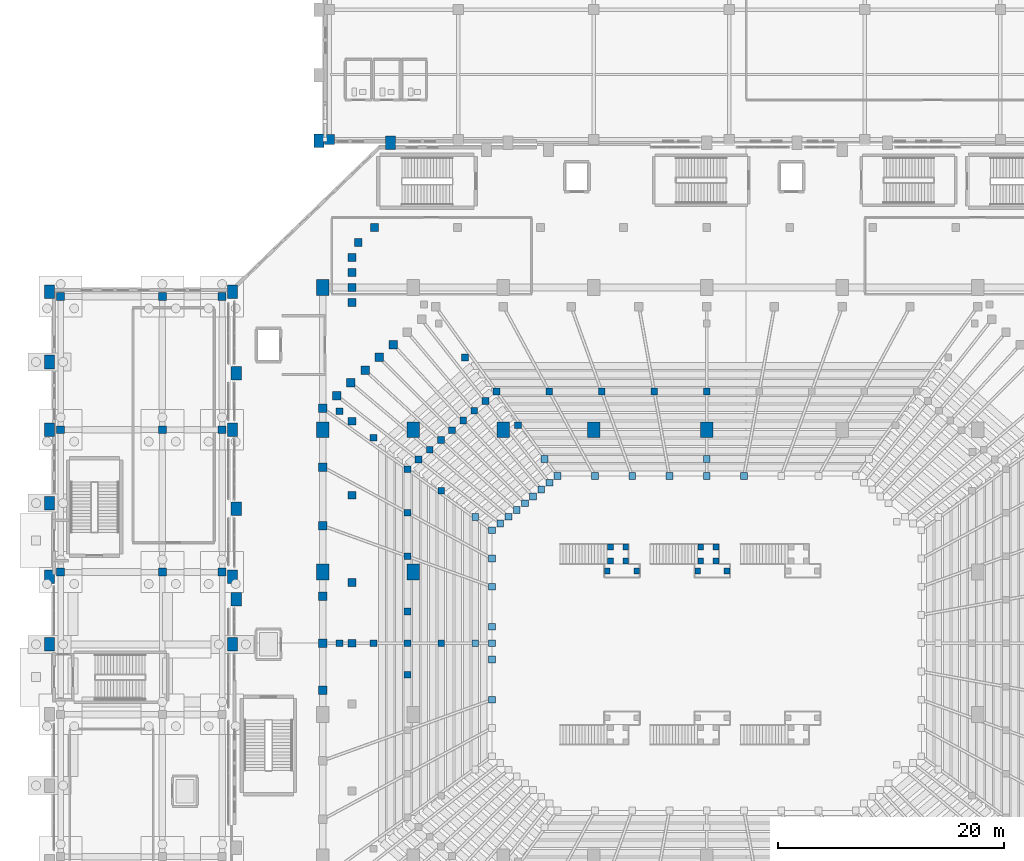
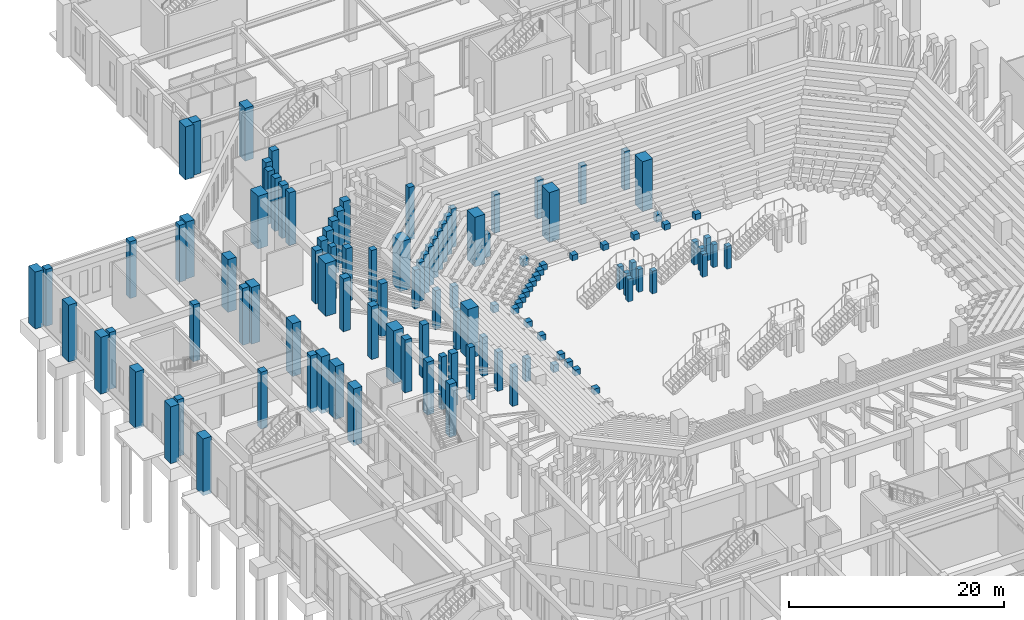
# One storey, part 10 of 143: 116 columns.
"""IFC4 building model written with IfcOpenShell, lengths in metres."""

from ifc_helpers import new_model, si_unit, derived_unit, direction, frame, origin, origin_2d, place, context, subcontext, project, spatial, rectangle, extrude, material, material_profile, profile_set, type_object, element, save


model = new_model("IFC4")

# Units and contexts
model_context = context("Model", 3, precision=1e-05, world=origin(), true_north=direction((0.0, 1.0)))
body_context = subcontext(model_context, "Body", "Model", "MODEL_VIEW")
ifc_project = project(units=[si_unit("LENGTHUNIT", "METRE"), si_unit("AREAUNIT", "SQUARE_METRE"), si_unit("VOLUMEUNIT", "CUBIC_METRE"), si_unit("PLANEANGLEUNIT", "RADIAN"), si_unit("MASSUNIT", "GRAM", prefix="KILO"), derived_unit("THERMALTRANSMITTANCEUNIT", [(si_unit("MASSUNIT", "GRAM", prefix="KILO"), 1), (si_unit("TIMEUNIT", "SECOND"), -3), (si_unit("THERMODYNAMICTEMPERATUREUNIT", "KELVIN"), -1)])], contexts=[model_context])

# Site, building, storey
site_placement = place(None, origin())
site = spatial("IfcSite", under=ifc_project, at=site_placement, CompositionType="ELEMENT")
building_placement = place(site_placement, origin())
building = spatial("IfcBuilding", under=site, at=building_placement, Name="Valcora Ridge Arena", CompositionType="ELEMENT")
storey_placement = place(building_placement, origin())
storey = spatial("IfcBuildingStorey", under=building, at=storey_placement, Name="L00", CompositionType="ELEMENT", Elevation=0.0)

# Columns
ifc_material_1 = material(Name="Bush-hammered Andean travertine architectural concrete C45/55", Category="masonry")
ifc_material_profile_1 = material_profile(ifc_material_1, rectangle(XDim=0.89990234375, YDim=1.199951171875, at=origin_2d()), Name="RC 900x1200")
ifc_profile_set_1 = profile_set([ifc_material_profile_1], Name="Bush-hammered Andean travertine architectural concrete C45/55")
column_type_1 = type_object("IfcColumnType", Name="TY-COLUMN-C-BUTT-1200", PredefinedType="PILASTER", material=ifc_profile_set_1)
for number, where, z_axis, x_axis, name in (
    (1, (16.35009765625, 68.0, 0.0), (0.0, 0.0, 1.0), (1.0, 0.0, 0.0), "C-BUTT-1200 COL-C-BUTT-1200-0042"),
    (2, (16.35009765625, 76.0, 0.0), (0.0, 0.0, 1.0), (1.0, 0.0, 0.0), "C-BUTT-1200 COL-C-BUTT-1200-0046"),
    (3, (16.35009765625, 88.0, 0.0), (0.0, 0.0, 1.0), (1.0, 0.0, 0.0), "C-BUTT-1200 COL-C-BUTT-1200-0050"),
):
    element("IfcColumn", number, at=place(storey_placement, frame(where, z_axis=z_axis, x_axis=x_axis)), inside=storey, type_object=column_type_1, Name=name, PredefinedType="PILASTER", context=body_context, shape_type="SweptSolid", body=[
        extrude(rectangle(XDim=0.89990234375, YDim=1.199951171875, at=origin_2d()), origin(), (0.0, 0.0, 1.0), 6.0),
    ])
for number, where, z_axis, x_axis, name in (
    (4, (-0.179931640625, 70.0, -0.449951171875), (0.0, 0.0, 1.0), (1.0, 0.0, 0.0), "C-BUTT-1200 COL-C-BUTT-1200-0095"),
    (5, (-0.179931640625, 83.0, -0.449951171875), (0.0, 0.0, 1.0), (1.0, 0.0, 0.0), "C-BUTT-1200 COL-C-BUTT-1200-0098"),
    (6, (-0.179931640625, 95.199951171875, -0.449951171875), (0.0, 0.0, 1.0), (1.0, 0.0, 0.0), "C-BUTT-1200 COL-C-BUTT-1200-0101"),
    (7, (16.0, 64.0, -0.449951171875), (0.0, 0.0, 1.0), (1.0, 0.0, 0.0), "C-BUTT-1200 COL-C-BUTT-1200-0119"),
    (8, (16.0, 70.0, -0.449951171875), (0.0, 0.0, 1.0), (1.0, 0.0, 0.0), "C-BUTT-1200 COL-C-BUTT-1200-0122"),
    (9, (16.0, 83.0, -0.449951171875), (0.0, 0.0, 1.0), (1.0, 0.0, 0.0), "C-BUTT-1200 COL-C-BUTT-1200-0125"),
    (10, (16.0, 95.199951171875, -0.449951171875), (0.0, 0.0, 1.0), (1.0, 0.0, 0.0), "C-BUTT-1200 COL-C-BUTT-1200-0128"),
):
    element("IfcColumn", number, at=place(storey_placement, frame(where, z_axis=z_axis, x_axis=x_axis)), inside=storey, type_object=column_type_1, Name=name, PredefinedType="PILASTER", context=body_context, shape_type="SweptSolid", body=[
        extrude(rectangle(XDim=0.89990234375, YDim=1.199951171875, at=origin_2d()), origin(), (0.0, 0.0, 1.0), 6.449951171875),
    ])
for number, where, z_axis, x_axis, name in (
    (11, (23.679931640625, 108.60009765625, 0.0), (0.0, 0.0, 1.0), (1.0, 0.0, 0.0), "C-BUTT-1200 COL-C-BUTT-1200-0228"),
    (12, (30.0, 108.419921875, 0.0), (0.0, 0.0, 1.0), (1.0, 0.0, 0.0), "C-BUTT-1200 COL-C-BUTT-1200-0328"),
):
    element("IfcColumn", number, at=place(storey_placement, frame(where, z_axis=z_axis, x_axis=x_axis)), inside=storey, type_object=column_type_1, Name=name, PredefinedType="PILASTER", context=body_context, shape_type="SweptSolid", body=[
        extrude(rectangle(XDim=0.89990234375, YDim=1.199951171875, at=origin_2d()), origin(), (0.0, 0.0, 1.0), 6.0),
    ])
for number, where, z_axis, x_axis, name in (
    (13, (-0.179931640625, 64.0, -0.449951171875), (0.0, 0.0, 1.0), (1.0, 0.0, 0.0), "C-BUTT-1200 COL-C-BUTT-1200-0422"),
    (14, (-0.179931640625, 76.5, -0.449951171875), (0.0, 0.0, 1.0), (1.0, 0.0, 0.0), "C-BUTT-1200 COL-C-BUTT-1200-0425"),
    (15, (-0.179931640625, 89.0, -0.449951171875), (0.0, 0.0, 1.0), (1.0, 0.0, 0.0), "C-BUTT-1200 COL-C-BUTT-1200-0428"),
):
    element("IfcColumn", number, at=place(storey_placement, frame(where, z_axis=z_axis, x_axis=x_axis)), inside=storey, type_object=column_type_1, Name=name, PredefinedType="PILASTER", context=body_context, shape_type="SweptSolid", body=[
        extrude(rectangle(XDim=0.89990234375, YDim=1.199951171875, at=origin_2d()), origin(), (0.0, 0.0, 1.0), 6.449951171875),
    ])
ifc_material_2 = material(Name="Concrete C40/50", Category="concrete")
ifc_material_profile_2 = material_profile(ifc_material_2, rectangle(XDim=1.10009765625, YDim=1.39990234375, at=origin_2d()), Name="RC 1100x1400")
ifc_profile_set_2 = profile_set([ifc_material_profile_2], Name="Concrete C40/50")
column_type_2 = type_object("IfcColumnType", Name="TY-COLUMN-C-RC1100", PredefinedType="COLUMN", material=ifc_profile_set_2)
for number, where, z_axis, x_axis, name in (
    (16, (24.0, 70.39990234375, 0.0), (0.0, 0.0, 1.0), (1.0, 0.0, 0.0), "C-RC1100 COL-C-RC1100-0008"),
    (17, (24.0, 83.0, 0.0), (0.0, 0.0, 1.0), (1.0, 0.0, 0.0), "C-RC1100 COL-C-RC1100-0010"),
    (18, (24.0, 95.60009765625, 0.0), (0.0, 0.0, 1.0), (1.0, 0.0, 0.0), "C-RC1100 COL-C-RC1100-0012"),
):
    element("IfcColumn", number, at=place(storey_placement, frame(where, z_axis=z_axis, x_axis=x_axis)), inside=storey, type_object=column_type_2, Name=name, PredefinedType="COLUMN", context=body_context, shape_type="SweptSolid", body=[
        extrude(rectangle(XDim=1.10009765625, YDim=1.39990234375, at=origin_2d()), origin(), (0.0, 0.0, 1.0), 6.0),
    ])
for number, where, z_axis, x_axis, name in (
    (19, (32.0, 70.39990234375, 0.0), (0.0, 0.0, 1.0), (1.0, 0.0, 0.0), "C-RC1100 COL-C-RC1100-0020"),
    (20, (32.0, 83.0, 0.0), (0.0, 0.0, 1.0), (1.0, 0.0, 0.0), "C-RC1100 COL-C-RC1100-0022"),
    (21, (40.0, 83.0, 0.0), (0.0, 0.0, 1.0), (1.0, 0.0, 0.0), "C-RC1100 COL-C-RC1100-0030"),
    (22, (48.0, 83.0, 0.0), (0.0, 0.0, 1.0), (1.0, 0.0, 0.0), "C-RC1100 COL-C-RC1100-0038"),
    (23, (58.0, 83.0, 0.0), (0.0, 0.0, 1.0), (1.0, 0.0, 0.0), "C-RC1100 COL-C-RC1100-0046"),
):
    element("IfcColumn", number, at=place(storey_placement, frame(where, z_axis=z_axis, x_axis=x_axis)), inside=storey, type_object=column_type_2, Name=name, PredefinedType="COLUMN", context=body_context, shape_type="SweptSolid", body=[
        extrude(rectangle(XDim=1.10009765625, YDim=1.39990234375, at=origin_2d()), origin(), (0.0, 0.0, 1.0), 5.639892578125),
    ])
ifc_material_profile_3 = material_profile(ifc_material_2, rectangle(XDim=0.699951171875, YDim=0.699951171875, at=origin_2d()), Name="RC 700x700")
ifc_profile_set_3 = profile_set([ifc_material_profile_3], Name="Concrete C40/50")
column_type_3 = type_object("IfcColumnType", Name="TY-COLUMN-C-RC700", PredefinedType="COLUMN", material=ifc_profile_set_3)
for number, where, z_axis, x_axis, name in (
    (24, (0.800048828125, 70.39990234375, -0.449951171875), (0.0, 0.0, 1.0), (1.0, 0.0, 0.0), "C-RC700 COL-C-RC700-0085"),
    (25, (0.800048828125, 83.0, -0.449951171875), (0.0, 0.0, 1.0), (1.0, 0.0, 0.0), "C-RC700 COL-C-RC700-0087"),
    (26, (0.800048828125, 94.800048828125, -0.449951171875), (0.0, 0.0, 1.0), (1.0, 0.0, 0.0), "C-RC700 COL-C-RC700-0089"),
    (27, (9.800048828125, 70.39990234375, -0.449951171875), (0.0, 0.0, 1.0), (1.0, 0.0, 0.0), "C-RC700 COL-C-RC700-0099"),
    (28, (9.800048828125, 83.0, -0.449951171875), (0.0, 0.0, 1.0), (1.0, 0.0, 0.0), "C-RC700 COL-C-RC700-0101"),
    (29, (9.800048828125, 94.800048828125, -0.449951171875), (0.0, 0.0, 1.0), (1.0, 0.0, 0.0), "C-RC700 COL-C-RC700-0103"),
    (30, (15.10009765625, 70.39990234375, -0.449951171875), (0.0, 0.0, 1.0), (1.0, 0.0, 0.0), "C-RC700 COL-C-RC700-0113"),
    (31, (15.10009765625, 83.0, -0.449951171875), (0.0, 0.0, 1.0), (1.0, 0.0, 0.0), "C-RC700 COL-C-RC700-0115"),
    (32, (15.10009765625, 94.800048828125, -0.449951171875), (0.0, 0.0, 1.0), (1.0, 0.0, 0.0), "C-RC700 COL-C-RC700-0117"),
):
    element("IfcColumn", number, at=place(storey_placement, frame(where, z_axis=z_axis, x_axis=x_axis)), inside=storey, type_object=column_type_3, Name=name, PredefinedType="COLUMN", context=body_context, shape_type="SweptSolid", body=[
        extrude(rectangle(XDim=0.699951171875, YDim=0.699951171875, at=origin_2d()), origin(), (0.0, 0.0, 1.0), 6.449951171875),
    ])
ifc_material_profile_4 = material_profile(ifc_material_2, rectangle(XDim=0.89990234375, YDim=0.89990234375, at=origin_2d()), Name="RC 900x900")
ifc_profile_set_4 = profile_set([ifc_material_profile_4], Name="Concrete C40/50")
column_type_4 = type_object("IfcColumnType", Name="TY-COLUMN-C-RC900B", PredefinedType="COLUMN", material=ifc_profile_set_4)
column_placement = place(storey_placement, frame((24.60009765625, 108.699951171875, 0.0), z_axis=(0.0, 0.0, 1.0), x_axis=(1.0, 0.0, 0.0)))
element("IfcColumn", 33, at=column_placement, inside=storey, type_object=column_type_4, Name="C-RC900B COL-C-RC900B-0002", PredefinedType="COLUMN", context=body_context, shape_type="SweptSolid", body=[
    extrude(rectangle(XDim=0.89990234375, YDim=0.89990234375, at=origin_2d()), origin(), (0.0, 0.0, 1.0), 6.0),
])
ifc_material_profile_5 = material_profile(ifc_material_2, rectangle(XDim=0.5, YDim=0.5, at=origin_2d()), Name="RC 500x500")
ifc_profile_set_5 = profile_set([ifc_material_profile_5], Name="Concrete C40/50")
column_type_5 = type_object("IfcColumnType", Name="TY-COLUMN-C-RKR500", PredefinedType="COLUMN", material=ifc_profile_set_5)
for number, where, z_axis, x_axis, name in (
    (34, (49.47998046875, 71.3798828125, 0.0), (0.0, 0.0, 1.0), (1.0, 0.0, 0.0), "C-RKR500 COL-VS-C-RKR500-0038"),
    (35, (49.47998046875, 72.6201171875, 0.0), (0.0, 0.0, 1.0), (1.0, 0.0, 0.0), "C-RKR500 COL-VS-C-RKR500-0040"),
    (36, (50.820068359375, 71.3798828125, 0.0), (0.0, 0.0, 1.0), (1.0, 0.0, 0.0), "C-RKR500 COL-VS-C-RKR500-0042"),
    (37, (50.820068359375, 72.6201171875, 0.0), (0.0, 0.0, 1.0), (1.0, 0.0, 0.0), "C-RKR500 COL-VS-C-RKR500-0044"),
    (38, (49.199951171875, 70.5, 0.0), (0.0, 0.0, 1.0), (1.0, 0.0, 0.0), "C-RKR500 COL-VS-C-RKR500-0046"),
    (39, (51.800048828125, 70.5, 0.0), (0.0, 0.0, 1.0), (1.0, 0.0, 0.0), "C-RKR500 COL-VS-C-RKR500-0048"),
    (40, (57.47998046875, 71.3798828125, 0.0), (0.0, 0.0, 1.0), (1.0, 0.0, 0.0), "C-RKR500 COL-VS-C-RKR500-0050"),
    (41, (57.47998046875, 72.6201171875, 0.0), (0.0, 0.0, 1.0), (1.0, 0.0, 0.0), "C-RKR500 COL-VS-C-RKR500-0052"),
    (42, (58.820068359375, 71.3798828125, 0.0), (0.0, 0.0, 1.0), (1.0, 0.0, 0.0), "C-RKR500 COL-VS-C-RKR500-0054"),
    (43, (58.820068359375, 72.6201171875, 0.0), (0.0, 0.0, 1.0), (1.0, 0.0, 0.0), "C-RKR500 COL-VS-C-RKR500-0056"),
    (44, (57.199951171875, 70.5, 0.0), (0.0, 0.0, 1.0), (1.0, 0.0, 0.0), "C-RKR500 COL-VS-C-RKR500-0058"),
    (45, (59.800048828125, 70.5, 0.0), (0.0, 0.0, 1.0), (1.0, 0.0, 0.0), "C-RKR500 COL-VS-C-RKR500-0060"),
):
    element("IfcColumn", number, at=place(storey_placement, frame(where, z_axis=z_axis, x_axis=x_axis)), inside=storey, type_object=column_type_5, Name=name, PredefinedType="COLUMN", context=body_context, shape_type="SweptSolid", body=[
        extrude(rectangle(XDim=0.5, YDim=0.5, at=origin_2d()), origin(), (0.0, 0.0, 1.0), 2.60009765625),
    ])
ifc_material_profile_6 = material_profile(ifc_material_2, rectangle(XDim=0.60009765625, YDim=0.60009765625, at=origin_2d()), Name="RC 600x600")
ifc_profile_set_6 = profile_set([ifc_material_profile_6], Name="Concrete C40/50")
column_type_6 = type_object("IfcColumnType", Name="TY-COLUMN-C-RKR600", PredefinedType="COLUMN", material=ifc_profile_set_6)
for number, where, z_axis, x_axis, name in (
    (46, (58.0, 86.39990234375, 0.0), (0.0, 0.0, 1.0), (1.0, 0.0, 0.0), "C-RKR600 COL-RK-C-RKR600-0070"),
    (47, (53.35009765625, 86.39990234375, 0.0), (0.0, 0.0, 1.0), (1.0, 0.0, 0.0), "C-RKR600 COL-RK-C-RKR600-0072"),
    (48, (48.699951171875, 86.39990234375, 0.0), (0.0, 0.0, 1.0), (1.0, 0.0, 0.0), "C-RKR600 COL-RK-C-RKR600-0074"),
    (49, (44.050048828125, 86.39990234375, 0.0), (0.0, 0.0, 1.0), (1.0, 0.0, 0.0), "C-RKR600 COL-RK-C-RKR600-0076"),
    (50, (39.39990234375, 86.39990234375, 0.0), (0.0, 0.0, 1.0), (1.0, 0.0, 0.0), "C-RKR600 COL-RK-C-RKR600-0078"),
    (51, (38.41259765625, 85.53759765625, 0.0), (0.0, 0.0, 1.0), (1.0, 0.0, 0.0), "C-RKR600 COL-RK-C-RKR600-0080"),
    (52, (37.425048828125, 84.675048828125, 0.0), (0.0, 0.0, 1.0), (1.0, 0.0, 0.0), "C-RKR600 COL-RK-C-RKR600-0082"),
    (53, (36.4375, 83.8125, 0.0), (0.0, 0.0, 1.0), (1.0, 0.0, 0.0), "C-RKR600 COL-RK-C-RKR600-0084"),
    (54, (35.449951171875, 82.949951171875, 0.0), (0.0, 0.0, 1.0), (1.0, 0.0, 0.0), "C-RKR600 COL-RK-C-RKR600-0086"),
    (55, (34.46240234375, 82.08740234375, 0.0), (0.0, 0.0, 1.0), (1.0, 0.0, 0.0), "C-RKR600 COL-RK-C-RKR600-0088"),
    (56, (33.47509765625, 81.22509765625, 0.0), (0.0, 0.0, 1.0), (1.0, 0.0, 0.0), "C-RKR600 COL-RK-C-RKR600-0090"),
    (57, (32.487548828125, 80.362548828125, 0.0), (0.0, 0.0, 1.0), (1.0, 0.0, 0.0), "C-RKR600 COL-RK-C-RKR600-0092"),
    (58, (31.5, 79.5, 0.0), (0.0, 0.0, 1.0), (1.0, 0.0, 0.0), "C-RKR600 COL-RK-C-RKR600-0094"),
    (59, (31.5, 75.64990234375, 0.0), (0.0, 0.0, 1.0), (1.0, 0.0, 0.0), "C-RKR600 COL-RK-C-RKR600-0096"),
    (60, (31.5, 71.800048828125, 0.0), (0.0, 0.0, 1.0), (1.0, 0.0, 0.0), "C-RKR600 COL-RK-C-RKR600-0098"),
    (61, (31.5, 64.10009765625, 0.0), (0.0, 0.0, 1.0), (1.0, 0.0, 0.0), "C-RKR600 COL-RK-C-RKR600-0100"),
    (62, (31.5, 66.89990234375, 0.0), (0.0, 0.0, 1.0), (1.0, 0.0, 0.0), "C-RKR600 COL-RKN-C-RKR600-0006"),
    (63, (31.5, 61.300048828125, 0.0), (0.0, 0.0, 1.0), (1.0, 0.0, 0.0), "C-RKR600 COL-RKN-C-RKR600-0008"),
):
    element("IfcColumn", number, at=place(storey_placement, frame(where, z_axis=z_axis, x_axis=x_axis)), inside=storey, type_object=column_type_6, Name=name, PredefinedType="COLUMN", context=body_context, shape_type="SweptSolid", body=[
        extrude(rectangle(XDim=0.60009765625, YDim=0.60009765625, at=origin_2d()), origin(), (0.0, 0.0, 1.0), 4.39990234375),
    ])
ifc_material_profile_7 = material_profile(ifc_material_2, rectangle(XDim=0.60009765625, YDim=0.60009765625, at=origin_2d()), Name="RC 600x600")
ifc_profile_set_7 = profile_set([ifc_material_profile_7], Name="Concrete C40/50")
column_type_7 = type_object("IfcColumnType", Name="TY-COLUMN-C-RKR600I", PredefinedType="COLUMN", material=ifc_profile_set_7)
for number, where, z_axis, x_axis, name in (
    (64, (61.300048828125, 78.89990234375, 0.0), (0.0, 0.0, 1.0), (1.0, 0.0, 0.0), "C-RKR600I COL-RK-C-RKR600I-0068"),
    (65, (58.0, 78.89990234375, 0.0), (0.0, 0.0, 1.0), (1.0, 0.0, 0.0), "C-RKR600I COL-RK-C-RKR600I-0070"),
    (66, (54.699951171875, 78.89990234375, 0.0), (0.0, 0.0, 1.0), (1.0, 0.0, 0.0), "C-RKR600I COL-RK-C-RKR600I-0072"),
    (67, (51.39990234375, 78.89990234375, 0.0), (0.0, 0.0, 1.0), (1.0, 0.0, 0.0), "C-RKR600I COL-RK-C-RKR600I-0074"),
    (68, (48.10009765625, 78.89990234375, 0.0), (0.0, 0.0, 1.0), (1.0, 0.0, 0.0), "C-RKR600I COL-RK-C-RKR600I-0076"),
    (69, (44.800048828125, 78.89990234375, 0.0), (0.0, 0.0, 1.0), (1.0, 0.0, 0.0), "C-RKR600I COL-RK-C-RKR600I-0078"),
    (70, (44.074951171875, 78.300048828125, 0.0), (0.0, 0.0, 1.0), (1.0, 0.0, 0.0), "C-RKR600I COL-RK-C-RKR600I-0080"),
    (71, (43.35009765625, 77.699951171875, 0.0), (0.0, 0.0, 1.0), (1.0, 0.0, 0.0), "C-RKR600I COL-RK-C-RKR600I-0082"),
    (72, (42.625, 77.10009765625, 0.0), (0.0, 0.0, 1.0), (1.0, 0.0, 0.0), "C-RKR600I COL-RK-C-RKR600I-0084"),
    (73, (41.89990234375, 76.5, 0.0), (0.0, 0.0, 1.0), (1.0, 0.0, 0.0), "C-RKR600I COL-RK-C-RKR600I-0086"),
    (74, (41.175048828125, 75.89990234375, 0.0), (0.0, 0.0, 1.0), (1.0, 0.0, 0.0), "C-RKR600I COL-RK-C-RKR600I-0088"),
    (75, (40.449951171875, 75.300048828125, 0.0), (0.0, 0.0, 1.0), (1.0, 0.0, 0.0), "C-RKR600I COL-RK-C-RKR600I-0090"),
    (76, (39.72509765625, 74.699951171875, 0.0), (0.0, 0.0, 1.0), (1.0, 0.0, 0.0), "C-RKR600I COL-RK-C-RKR600I-0092"),
    (77, (39.0, 74.10009765625, 0.0), (0.0, 0.0, 1.0), (1.0, 0.0, 0.0), "C-RKR600I COL-RK-C-RKR600I-0094"),
    (78, (39.0, 71.60009765625, 0.0), (0.0, 0.0, 1.0), (1.0, 0.0, 0.0), "C-RKR600I COL-RK-C-RKR600I-0096"),
    (79, (39.0, 69.10009765625, 0.0), (0.0, 0.0, 1.0), (1.0, 0.0, 0.0), "C-RKR600I COL-RK-C-RKR600I-0098"),
    (80, (39.0, 64.10009765625, 0.0), (0.0, 0.0, 1.0), (1.0, 0.0, 0.0), "C-RKR600I COL-RK-C-RKR600I-0100"),
    (81, (39.0, 59.10009765625, 0.0), (0.0, 0.0, 1.0), (1.0, 0.0, 0.0), "C-RKR600I COL-RK-C-RKR600I-0102"),
    (82, (39.0, 65.550048828125, 0.0), (0.0, 0.0, 1.0), (1.0, 0.0, 0.0), "C-RKR600I COL-RKN-C-RKR600I-0006"),
    (83, (39.0, 62.64990234375, 0.0), (0.0, 0.0, 1.0), (1.0, 0.0, 0.0), "C-RKR600I COL-RKN-C-RKR600I-0008"),
):
    element("IfcColumn", number, at=place(storey_placement, frame(where, z_axis=z_axis, x_axis=x_axis)), inside=storey, type_object=column_type_7, Name=name, PredefinedType="COLUMN", context=body_context, shape_type="SweptSolid", body=[
        extrude(rectangle(XDim=0.60009765625, YDim=0.60009765625, at=origin_2d()), origin(), (0.0, 0.0, 1.0), 0.64990234375),
    ])
for number, where, z_axis, x_axis, name in (
    (84, (58.0, 80.39990234375, 0.0), (0.0, 0.0, 1.0), (1.0, 0.0, 0.0), "C-RKR600I COL-R2-C-RKR600I-0008"),
    (85, (43.6298828125, 80.39990234375, 0.0), (0.0, 0.0, 1.0), (1.0, 0.0, 0.0), "C-RKR600I COL-R2-C-RKR600I-0009"),
    (86, (37.5, 75.27001953125, 0.0), (0.0, 0.0, 1.0), (1.0, 0.0, 0.0), "C-RKR600I COL-R2-C-RKR600I-0010"),
    (87, (37.5, 64.10009765625, 0.0), (0.0, 0.0, 1.0), (1.0, 0.0, 0.0), "C-RKR600I COL-R2-C-RKR600I-0011"),
):
    element("IfcColumn", number, at=place(storey_placement, frame(where, z_axis=z_axis, x_axis=x_axis)), inside=storey, type_object=column_type_7, Name=name, PredefinedType="COLUMN", context=body_context, shape_type="SweptSolid", body=[
        extrude(rectangle(XDim=0.60009765625, YDim=0.60009765625, at=origin_2d()), origin(), (0.0, 0.0, 1.0), 0.85498046875),
    ])
for number, where, z_axis, x_axis, name in (
    (88, (41.2900390625, 83.39990234375, 0.0), (0.0, 0.0, 1.0), (1.0, 0.0, 0.0), "C-RKR600I COL-R2-C-RKR600I-0019"),
    (89, (34.5, 77.610107421875, 0.0), (0.0, 0.0, 1.0), (1.0, 0.0, 0.0), "C-RKR600I COL-R2-C-RKR600I-0020"),
    (90, (34.5, 64.10009765625, 0.0), (0.0, 0.0, 1.0), (1.0, 0.0, 0.0), "C-RKR600I COL-R2-C-RKR600I-0021"),
):
    element("IfcColumn", number, at=place(storey_placement, frame(where, z_axis=z_axis, x_axis=x_axis)), inside=storey, type_object=column_type_7, Name=name, PredefinedType="COLUMN", context=body_context, shape_type="SweptSolid", body=[
        extrude(rectangle(XDim=0.60009765625, YDim=0.60009765625, at=origin_2d()), origin(), (0.0, 0.0, 1.0), 2.614990234375),
    ])
for number, where, z_axis, x_axis, name in (
    (91, (36.610107421875, 89.39990234375, 0.0), (0.0, 0.0, 1.0), (1.0, 0.0, 0.0), "C-RKR600I COL-R2-C-RKR600I-0029"),
    (92, (28.5, 82.2900390625, 0.0), (0.0, 0.0, 1.0), (1.0, 0.0, 0.0), "C-RKR600I COL-R2-C-RKR600I-0030"),
    (93, (28.5, 64.10009765625, 0.0), (0.0, 0.0, 1.0), (1.0, 0.0, 0.0), "C-RKR600I COL-R2-C-RKR600I-0031"),
    (94, (25.5, 84.6298828125, 0.0), (0.0, 0.0, 1.0), (1.0, 0.0, 0.0), "C-RKR600I COL-R2-C-RKR600I-0051"),
    (95, (25.5, 64.10009765625, 0.0), (0.0, 0.0, 1.0), (1.0, 0.0, 0.0), "C-RKR600I COL-R2-C-RKR600I-0053"),
):
    element("IfcColumn", number, at=place(storey_placement, frame(where, z_axis=z_axis, x_axis=x_axis)), inside=storey, type_object=column_type_7, Name=name, PredefinedType="COLUMN", context=body_context, shape_type="SweptSolid", body=[
        extrude(rectangle(XDim=0.60009765625, YDim=0.60009765625, at=origin_2d()), origin(), (0.0, 0.0, 1.0), 6.0),
    ])
ifc_material_profile_8 = material_profile(ifc_material_2, rectangle(XDim=0.75, YDim=0.75, at=origin_2d()), Name="RC 750x750")
ifc_profile_set_8 = profile_set([ifc_material_profile_8], Name="Concrete C40/50")
column_type_8 = type_object("IfcColumnType", Name="TY-COLUMN-C-RKR750", PredefinedType="COLUMN", material=ifc_profile_set_8)
for number, where, z_axis, x_axis, name in (
    (96, (30.25, 90.52490234375, 0.0), (0.0, 0.0, 1.0), (1.0, 0.0, 0.0), "C-RKR750 COL-RK-C-RKR750-0084"),
    (97, (29.0, 89.39990234375, 0.0), (0.0, 0.0, 1.0), (1.0, 0.0, 0.0), "C-RKR750 COL-RK-C-RKR750-0086"),
    (98, (27.75, 88.27490234375, 0.0), (0.0, 0.0, 1.0), (1.0, 0.0, 0.0), "C-RKR750 COL-RK-C-RKR750-0088"),
    (99, (26.5, 87.14990234375, 0.0), (0.0, 0.0, 1.0), (1.0, 0.0, 0.0), "C-RKR750 COL-RK-C-RKR750-0090"),
    (100, (25.25, 86.02490234375, 0.0), (0.0, 0.0, 1.0), (1.0, 0.0, 0.0), "C-RKR750 COL-RK-C-RKR750-0092"),
    (101, (24.0, 84.89990234375, 0.0), (0.0, 0.0, 1.0), (1.0, 0.0, 0.0), "C-RKR750 COL-RK-C-RKR750-0094"),
    (102, (24.0, 79.699951171875, 0.0), (0.0, 0.0, 1.0), (1.0, 0.0, 0.0), "C-RKR750 COL-RK-C-RKR750-0096"),
    (103, (24.0, 74.5, 0.0), (0.0, 0.0, 1.0), (1.0, 0.0, 0.0), "C-RKR750 COL-RK-C-RKR750-0098"),
    (104, (24.0, 64.10009765625, 0.0), (0.0, 0.0, 1.0), (1.0, 0.0, 0.0), "C-RKR750 COL-RK-C-RKR750-0100"),
    (105, (24.0, 68.25, 0.0), (0.0, 0.0, 1.0), (1.0, 0.0, 0.0), "C-RKR750 COL-RKN-C-RKR750-0006"),
    (106, (24.0, 59.949951171875, 0.0), (0.0, 0.0, 1.0), (1.0, 0.0, 0.0), "C-RKR750 COL-RKN-C-RKR750-0008"),
):
    element("IfcColumn", number, at=place(storey_placement, frame(where, z_axis=z_axis, x_axis=x_axis)), inside=storey, type_object=column_type_8, Name=name, PredefinedType="COLUMN", context=body_context, shape_type="SweptSolid", body=[
        extrude(rectangle(XDim=0.75, YDim=0.75, at=origin_2d()), origin(), (0.0, 0.0, 1.0), 6.0),
    ])
ifc_material_profile_9 = material_profile(ifc_material_2, rectangle(XDim=0.699951171875, YDim=0.699951171875, at=origin_2d()), Name="RC 700x700")
ifc_profile_set_9 = profile_set([ifc_material_profile_9], Name="Concrete C40/50")
column_type_9 = type_object("IfcColumnType", Name="TY-COLUMN-C-RKRU700B", PredefinedType="COLUMN", material=ifc_profile_set_9)
for number, where, z_axis, x_axis, name in (
    (107, (28.60009765625, 100.89990234375, 0.0), (0.0, 0.0, 1.0), (1.0, 0.0, 0.0), "C-RKRU700B COL-RK-C-RKRU700B-0192"),
    (108, (27.14990234375, 99.574951171875, 0.0), (0.0, 0.0, 1.0), (1.0, 0.0, 0.0), "C-RKRU700B COL-RK-C-RKRU700B-0197"),
    (109, (26.60009765625, 98.25, 0.0), (0.0, 0.0, 1.0), (1.0, 0.0, 0.0), "C-RKRU700B COL-RK-C-RKRU700B-0202"),
    (110, (26.60009765625, 96.925048828125, 0.0), (0.0, 0.0, 1.0), (1.0, 0.0, 0.0), "C-RKRU700B COL-RK-C-RKRU700B-0207"),
    (111, (26.60009765625, 95.60009765625, 0.0), (0.0, 0.0, 1.0), (1.0, 0.0, 0.0), "C-RKRU700B COL-RK-C-RKRU700B-0212"),
    (112, (26.60009765625, 94.27490234375, 0.0), (0.0, 0.0, 1.0), (1.0, 0.0, 0.0), "C-RKRU700B COL-RK-C-RKRU700B-0217"),
    (113, (26.60009765625, 83.75, 0.0), (0.0, 0.0, 1.0), (1.0, 0.0, 0.0), "C-RKRU700B COL-RK-C-RKRU700B-0222"),
    (114, (26.60009765625, 77.199951171875, 0.0), (0.0, 0.0, 1.0), (1.0, 0.0, 0.0), "C-RKRU700B COL-RK-C-RKRU700B-0227"),
    (115, (26.60009765625, 64.10009765625, 0.0), (0.0, 0.0, 1.0), (1.0, 0.0, 0.0), "C-RKRU700B COL-RK-C-RKRU700B-0232"),
    (116, (26.60009765625, 69.489990234375, 0.0), (0.0, 0.0, 1.0), (1.0, 0.0, 0.0), "C-RKRU700B COL-RKN-C-RKRU700B-0002"),
):
    element("IfcColumn", number, at=place(storey_placement, frame(where, z_axis=z_axis, x_axis=x_axis)), inside=storey, type_object=column_type_9, Name=name, PredefinedType="COLUMN", context=body_context, shape_type="SweptSolid", body=[
        extrude(rectangle(XDim=0.699951171875, YDim=0.699951171875, at=origin_2d()), origin(), (0.0, 0.0, 1.0), 6.0),
    ])

save(model, "model.ifc")
